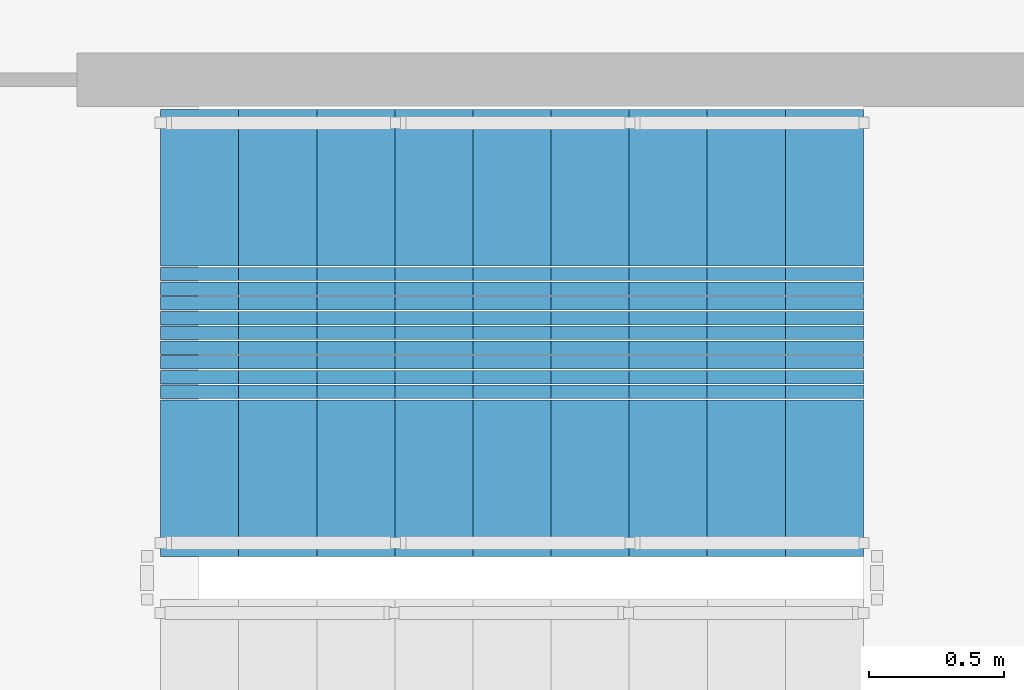
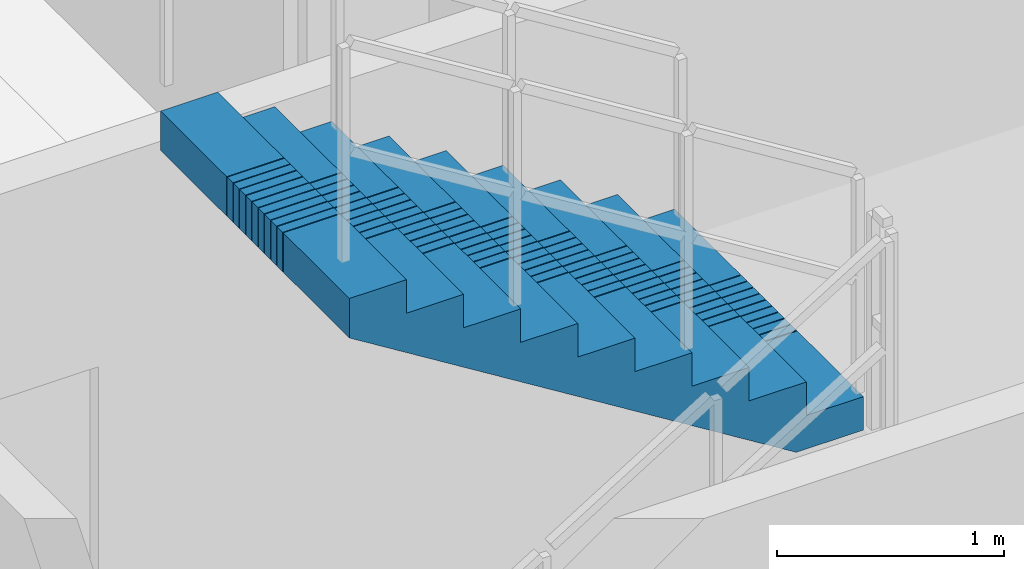
# One storey, part 24 of 30: 1 stair flight, 1 element without a shape of its own.
"""IFC4 building model written with IfcOpenShell, lengths in metres."""

from ifc_helpers import new_model, si_unit, direction, frame, origin, place, context, subcontext, project, spatial, polyline, outline, extrude, material, type_object, element, aggregate, save


model = new_model("IFC4")

# Units and contexts
model_context = context("Model", 3, precision=1e-05, world=origin(), true_north=direction((0.0, 1.0)))
body_context = subcontext(model_context, "Body", "Model", "MODEL_VIEW")
ifc_project = project(units=[si_unit("LENGTHUNIT", "METRE"), si_unit("AREAUNIT", "SQUARE_METRE"), si_unit("VOLUMEUNIT", "CUBIC_METRE"), si_unit("PLANEANGLEUNIT", "RADIAN"), si_unit("MASSUNIT", "GRAM", prefix="KILO")], contexts=[model_context])

# Site, building, storey
site_placement = place(None, origin())
site = spatial("IfcSite", under=ifc_project, at=site_placement, CompositionType="ELEMENT")
building_placement = place(site_placement, origin())
building = spatial("IfcBuilding", under=site, at=building_placement, Name="Saelheon Loggia Tower", CompositionType="ELEMENT")
storey_placement = place(building_placement, frame((0.0, 0.0, 11.39990234375)))
storey = spatial("IfcBuildingStorey", under=building, at=storey_placement, Name="L03", CompositionType="ELEMENT", Elevation=11.39990234375)

# Stair, stair flight
ifc_material = material(Name="Concrete C40/50", Category="concrete")
stair_type = type_object("IfcStairType", Name="Stair_Escape_Podium", PredefinedType="HALF_TURN_STAIR", material=ifc_material)
stair_placement = place(storey_placement, origin())
stair = element("IfcStair", 1, at=stair_placement, inside=storey, type_object=stair_type, Name="L03 Podium Escape Stair ST4", PredefinedType="HALF_TURN_STAIR")
stair_flight_type = type_object("IfcStairFlightType", Name="StairFlight_Podium_1660", PredefinedType="STRAIGHT", material=ifc_material)
stair_flight_placement = place(storey_placement, frame((68.4599609375, 3.449951171875, 1.800048828125), z_axis=(0.0, 0.0, 1.0), x_axis=(-1.0, 0.0, 0.0)))
stair_flight = element("IfcStairFlight", 2, at=stair_flight_placement, type_object=stair_flight_type, Name="ST4 flight 2", NumberOfRisers=10, NumberOfTreads=9, PredefinedType="STRAIGHT", RiserHeight=0.18, TreadLength=0.29, context=body_context, shape_type="SweptSolid", body=[
    extrude(outline(polyline([(0.0, 0.0), (0.0, 0.179931640625), (0.2900390625, 0.179931640625), (0.2900390625, 0.360107421875), (0.580078125, 0.360107421875), (0.580078125, 0.5400390625), (0.8701171875, 0.5400390625), (0.8701171875, 0.719970703125), (1.159912109375, 0.719970703125), (1.159912109375, 0.89990234375), (1.449951171875, 0.89990234375), (1.449951171875, 1.080078125), (1.739990234375, 1.080078125), (1.739990234375, 1.260009765625), (2.030029296875, 1.260009765625), (2.030029296875, 1.43994140625), (2.320068359375, 1.43994140625), (2.320068359375, 1.6201171875), (2.610107421875, 1.6201171875), (2.610107421875, 1.800048828125), (2.610107421875, 1.408203125), (0.34130859375, 0.0), (0.0, 0.0)])), frame((0.0, -0.2490234375, 0.0), z_axis=(0.0, -1.0, 0.0), x_axis=(1.0, 0.0, 0.0)), (0.0, 0.0, 1.0), 0.5810546875),
    extrude(outline(polyline([(0.0, 0.0), (0.0, 0.179931640625), (0.2900390625, 0.179931640625), (0.2900390625, 0.360107421875), (0.580078125, 0.360107421875), (0.580078125, 0.5400390625), (0.8701171875, 0.5400390625), (0.8701171875, 0.719970703125), (1.159912109375, 0.719970703125), (1.159912109375, 0.89990234375), (1.449951171875, 0.89990234375), (1.449951171875, 1.080078125), (1.739990234375, 1.080078125), (1.739990234375, 1.260009765625), (2.030029296875, 1.260009765625), (2.030029296875, 1.43994140625), (2.320068359375, 1.43994140625), (2.320068359375, 1.6201171875), (2.610107421875, 1.6201171875), (2.610107421875, 1.800048828125), (2.610107421875, 1.408203125), (0.34130859375, 0.0), (0.0, 0.0)])), frame((0.0, -0.194091796875, 0.0), z_axis=(0.0, -1.0, 0.0), x_axis=(1.0, 0.0, 0.0)), (0.0, 0.0, 1.0), 0.0498046875),
    extrude(outline(polyline([(0.0, 0.0), (0.0, 0.179931640625), (0.2900390625, 0.179931640625), (0.2900390625, 0.360107421875), (0.580078125, 0.360107421875), (0.580078125, 0.5400390625), (0.8701171875, 0.5400390625), (0.8701171875, 0.719970703125), (1.159912109375, 0.719970703125), (1.159912109375, 0.89990234375), (1.449951171875, 0.89990234375), (1.449951171875, 1.080078125), (1.739990234375, 1.080078125), (1.739990234375, 1.260009765625), (2.030029296875, 1.260009765625), (2.030029296875, 1.43994140625), (2.320068359375, 1.43994140625), (2.320068359375, 1.6201171875), (2.610107421875, 1.6201171875), (2.610107421875, 1.800048828125), (2.610107421875, 1.408203125), (0.34130859375, 0.0), (0.0, 0.0)])), frame((0.0, -0.139404296875, 0.0), z_axis=(0.0, -1.0, 0.0), x_axis=(1.0, 0.0, 0.0)), (0.0, 0.0, 1.0), 0.0498046875),
    extrude(outline(polyline([(0.0, 0.0), (0.0, 0.179931640625), (0.2900390625, 0.179931640625), (0.2900390625, 0.360107421875), (0.580078125, 0.360107421875), (0.580078125, 0.5400390625), (0.8701171875, 0.5400390625), (0.8701171875, 0.719970703125), (1.159912109375, 0.719970703125), (1.159912109375, 0.89990234375), (1.449951171875, 0.89990234375), (1.449951171875, 1.080078125), (1.739990234375, 1.080078125), (1.739990234375, 1.260009765625), (2.030029296875, 1.260009765625), (2.030029296875, 1.43994140625), (2.320068359375, 1.43994140625), (2.320068359375, 1.6201171875), (2.610107421875, 1.6201171875), (2.610107421875, 1.800048828125), (2.610107421875, 1.408203125), (0.34130859375, 0.0), (0.0, 0.0)])), frame((0.0, -0.084716796875, 0.0), z_axis=(0.0, -1.0, 0.0), x_axis=(1.0, 0.0, 0.0)), (0.0, 0.0, 1.0), 0.0498046875),
    extrude(outline(polyline([(0.0, 0.0), (0.0, 0.179931640625), (0.2900390625, 0.179931640625), (0.2900390625, 0.360107421875), (0.580078125, 0.360107421875), (0.580078125, 0.5400390625), (0.8701171875, 0.5400390625), (0.8701171875, 0.719970703125), (1.159912109375, 0.719970703125), (1.159912109375, 0.89990234375), (1.449951171875, 0.89990234375), (1.449951171875, 1.080078125), (1.739990234375, 1.080078125), (1.739990234375, 1.260009765625), (2.030029296875, 1.260009765625), (2.030029296875, 1.43994140625), (2.320068359375, 1.43994140625), (2.320068359375, 1.6201171875), (2.610107421875, 1.6201171875), (2.610107421875, 1.800048828125), (2.610107421875, 1.408203125), (0.34130859375, 0.0), (0.0, 0.0)])), frame((0.0, -0.02978515625, 0.0), z_axis=(0.0, -1.0, 0.0), x_axis=(1.0, 0.0, 0.0)), (0.0, 0.0, 1.0), 0.0498046875),
    extrude(outline(polyline([(0.0, 0.0), (0.0, 0.179931640625), (0.2900390625, 0.179931640625), (0.2900390625, 0.360107421875), (0.580078125, 0.360107421875), (0.580078125, 0.5400390625), (0.8701171875, 0.5400390625), (0.8701171875, 0.719970703125), (1.159912109375, 0.719970703125), (1.159912109375, 0.89990234375), (1.449951171875, 0.89990234375), (1.449951171875, 1.080078125), (1.739990234375, 1.080078125), (1.739990234375, 1.260009765625), (2.030029296875, 1.260009765625), (2.030029296875, 1.43994140625), (2.320068359375, 1.43994140625), (2.320068359375, 1.6201171875), (2.610107421875, 1.6201171875), (2.610107421875, 1.800048828125), (2.610107421875, 1.408203125), (0.34130859375, 0.0), (0.0, 0.0)])), frame((0.0, 0.02490234375, 0.0), z_axis=(0.0, -1.0, 0.0), x_axis=(1.0, 0.0, 0.0)), (0.0, 0.0, 1.0), 0.0498046875),
    extrude(outline(polyline([(0.0, 0.0), (0.0, 0.179931640625), (0.2900390625, 0.179931640625), (0.2900390625, 0.360107421875), (0.580078125, 0.360107421875), (0.580078125, 0.5400390625), (0.8701171875, 0.5400390625), (0.8701171875, 0.719970703125), (1.159912109375, 0.719970703125), (1.159912109375, 0.89990234375), (1.449951171875, 0.89990234375), (1.449951171875, 1.080078125), (1.739990234375, 1.080078125), (1.739990234375, 1.260009765625), (2.030029296875, 1.260009765625), (2.030029296875, 1.43994140625), (2.320068359375, 1.43994140625), (2.320068359375, 1.6201171875), (2.610107421875, 1.6201171875), (2.610107421875, 1.800048828125), (2.610107421875, 1.408203125), (0.34130859375, 0.0), (0.0, 0.0)])), frame((0.0, 0.07958984375, 0.0), z_axis=(0.0, -1.0, 0.0), x_axis=(1.0, 0.0, 0.0)), (0.0, 0.0, 1.0), 0.0498046875),
    extrude(outline(polyline([(0.0, 0.0), (0.0, 0.179931640625), (0.2900390625, 0.179931640625), (0.2900390625, 0.360107421875), (0.580078125, 0.360107421875), (0.580078125, 0.5400390625), (0.8701171875, 0.5400390625), (0.8701171875, 0.719970703125), (1.159912109375, 0.719970703125), (1.159912109375, 0.89990234375), (1.449951171875, 0.89990234375), (1.449951171875, 1.080078125), (1.739990234375, 1.080078125), (1.739990234375, 1.260009765625), (2.030029296875, 1.260009765625), (2.030029296875, 1.43994140625), (2.320068359375, 1.43994140625), (2.320068359375, 1.6201171875), (2.610107421875, 1.6201171875), (2.610107421875, 1.800048828125), (2.610107421875, 1.408203125), (0.34130859375, 0.0), (0.0, 0.0)])), frame((0.0, 0.134521484375, 0.0), z_axis=(0.0, -1.0, 0.0), x_axis=(1.0, 0.0, 0.0)), (0.0, 0.0, 1.0), 0.0498046875),
    extrude(outline(polyline([(0.0, 0.0), (0.0, 0.179931640625), (0.2900390625, 0.179931640625), (0.2900390625, 0.360107421875), (0.580078125, 0.360107421875), (0.580078125, 0.5400390625), (0.8701171875, 0.5400390625), (0.8701171875, 0.719970703125), (1.159912109375, 0.719970703125), (1.159912109375, 0.89990234375), (1.449951171875, 0.89990234375), (1.449951171875, 1.080078125), (1.739990234375, 1.080078125), (1.739990234375, 1.260009765625), (2.030029296875, 1.260009765625), (2.030029296875, 1.43994140625), (2.320068359375, 1.43994140625), (2.320068359375, 1.6201171875), (2.610107421875, 1.6201171875), (2.610107421875, 1.800048828125), (2.610107421875, 1.408203125), (0.34130859375, 0.0), (0.0, 0.0)])), frame((0.0, 0.189208984375, 0.0), z_axis=(0.0, -1.0, 0.0), x_axis=(1.0, 0.0, 0.0)), (0.0, 0.0, 1.0), 0.0498046875),
    extrude(outline(polyline([(0.0, 0.0), (0.0, 0.179931640625), (0.2900390625, 0.179931640625), (0.2900390625, 0.360107421875), (0.580078125, 0.360107421875), (0.580078125, 0.5400390625), (0.8701171875, 0.5400390625), (0.8701171875, 0.719970703125), (1.159912109375, 0.719970703125), (1.159912109375, 0.89990234375), (1.449951171875, 0.89990234375), (1.449951171875, 1.080078125), (1.739990234375, 1.080078125), (1.739990234375, 1.260009765625), (2.030029296875, 1.260009765625), (2.030029296875, 1.43994140625), (2.320068359375, 1.43994140625), (2.320068359375, 1.6201171875), (2.610107421875, 1.6201171875), (2.610107421875, 1.800048828125), (2.610107421875, 1.408203125), (0.34130859375, 0.0), (0.0, 0.0)])), frame((0.0, 0.243896484375, 0.0), z_axis=(0.0, -1.0, 0.0), x_axis=(1.0, 0.0, 0.0)), (0.0, 0.0, 1.0), 0.0498046875),
    extrude(outline(polyline([(0.0, 0.0), (0.0, 0.179931640625), (0.2900390625, 0.179931640625), (0.2900390625, 0.360107421875), (0.580078125, 0.360107421875), (0.580078125, 0.5400390625), (0.8701171875, 0.5400390625), (0.8701171875, 0.719970703125), (1.159912109375, 0.719970703125), (1.159912109375, 0.89990234375), (1.449951171875, 0.89990234375), (1.449951171875, 1.080078125), (1.739990234375, 1.080078125), (1.739990234375, 1.260009765625), (2.030029296875, 1.260009765625), (2.030029296875, 1.43994140625), (2.320068359375, 1.43994140625), (2.320068359375, 1.6201171875), (2.610107421875, 1.6201171875), (2.610107421875, 1.800048828125), (2.610107421875, 1.408203125), (0.34130859375, 0.0), (0.0, 0.0)])), frame((0.0, 0.830078125, 0.0), z_axis=(0.0, -1.0, 0.0), x_axis=(1.0, 0.0, 0.0)), (0.0, 0.0, 1.0), 0.5810546875),
])
aggregate(stair, [stair_flight])

save(model, "model.ifc")
